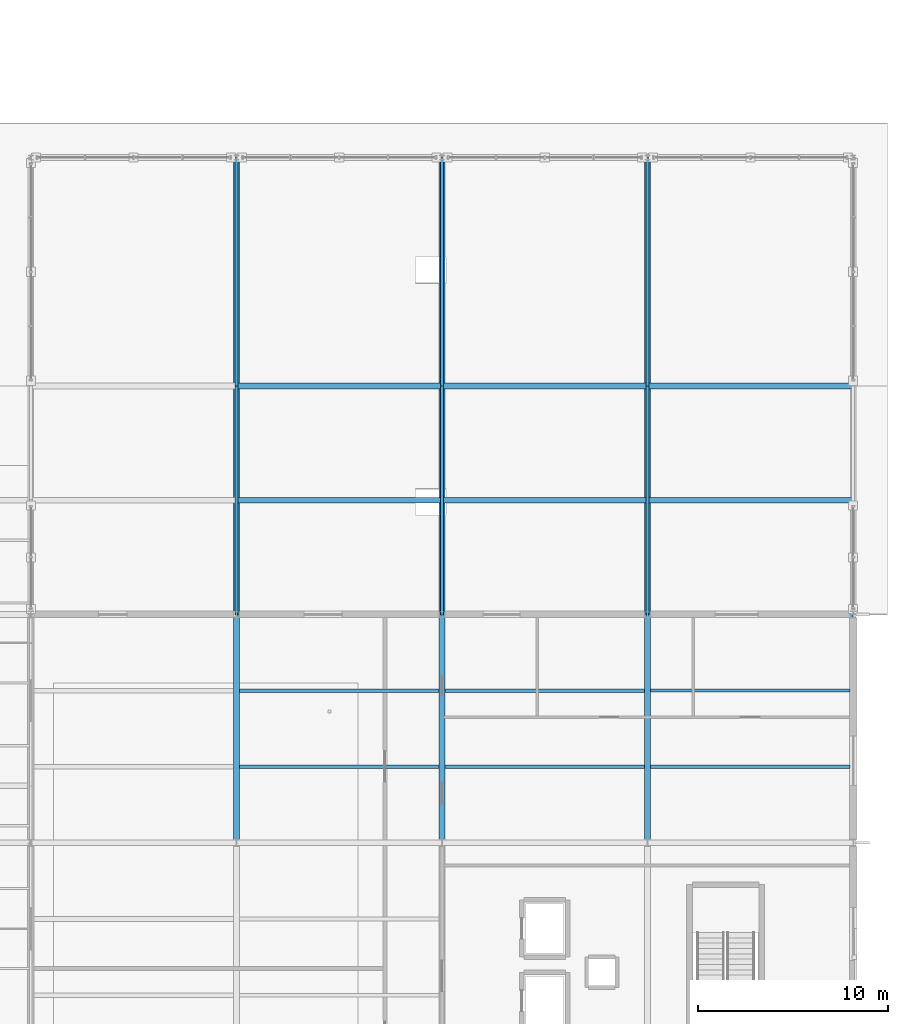
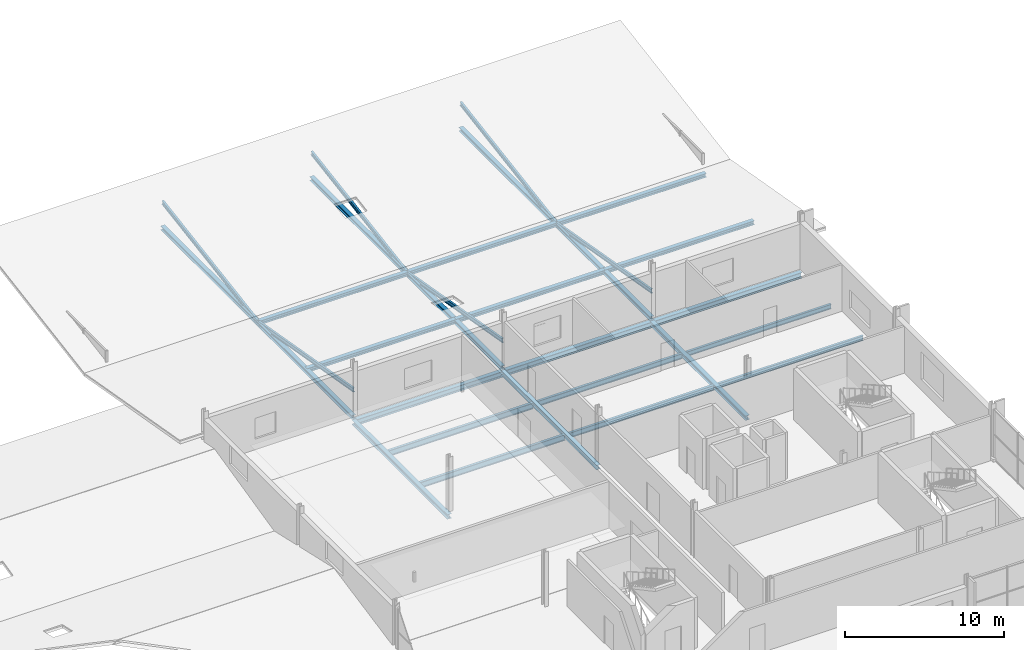
# One storey, part 83 of 117: 24 beams, 6 members.
"""IFC4 building model written with IfcOpenShell, lengths in metres."""

from ifc_helpers import new_model, si_unit, direction, frame, origin, origin_2d, place, context, subcontext, project, spatial, i_section, extrude, material, material_profile, profile_set, type_object, element, save


model = new_model("IFC4")

# Units and contexts
model_context = context("Model", 3, precision=1e-05, world=origin(), true_north=direction((0.0, 1.0)))
body_context = subcontext(model_context, "Body", "Model", "MODEL_VIEW")
ifc_project = project(units=[si_unit("LENGTHUNIT", "METRE"), si_unit("AREAUNIT", "SQUARE_METRE"), si_unit("VOLUMEUNIT", "CUBIC_METRE"), si_unit("PLANEANGLEUNIT", "RADIAN"), si_unit("MASSUNIT", "GRAM", prefix="KILO")], contexts=[model_context])

# Site, building, storey
site_placement = place(None, origin())
site = spatial("IfcSite", under=ifc_project, at=site_placement, CompositionType="ELEMENT")
building_placement = place(site_placement, origin())
building = spatial("IfcBuilding", under=site, at=building_placement, Name="Merenkruunu Market Hall", CompositionType="ELEMENT")
storey_placement = place(building_placement, frame((0.0, 0.0, 10.199951171875)))
storey = spatial("IfcBuildingStorey", under=building, at=storey_placement, Name="L02", CompositionType="ELEMENT", Elevation=10.199951171875)

# Beams
ifc_material_1 = material(Name="Steel S355J2", Category="steel")
ifc_material_profile_1 = material_profile(ifc_material_1, i_section(OverallWidth=0.300048828125, OverallDepth=0.300048828125, WebThickness=0.010986328125, FlangeThickness=0.01904296875, FilletRadius=0.027099609375, at=origin_2d()), Name="HEB 300")
ifc_profile_set_1 = profile_set([ifc_material_profile_1], Name="Steel S355J2")
beam_type_1 = type_object("IfcBeamType", Name="Primary Floor Girder B05", PredefinedType="BEAM", material=ifc_profile_set_1)
for number, where, z_axis, x_axis, name in (
    (1, (159.60009765625, 45.60009765625, -0.14990234375), (1.0, 0.0, 0.0), (0.0, 1.0, 0.0), "BM-L02-B05-1045"),
    (2, (159.60009765625, 51.60009765625, -0.14990234375), (1.0, 0.0, 0.0), (0.0, 1.0, 0.0), "BM-L02-B05-1046"),
):
    element("IfcBeam", number, at=place(storey_placement, frame(where, z_axis=z_axis, x_axis=x_axis)), inside=storey, type_object=beam_type_1, Name=name, PredefinedType="BEAM", context=body_context, shape_type="SweptSolid", body=[
        extrude(i_section(OverallWidth=0.300048828125, OverallDepth=0.300048828125, WebThickness=0.010986328125, FlangeThickness=0.01904296875, FilletRadius=0.027099609375, at=origin_2d()), origin(), (0.0, 0.0, 1.0), 10.7998046875),
    ])
for number, where, z_axis, x_axis, name in (
    (3, (170.39990234375, 45.60009765625, -0.14990234375), (1.0, 0.0, 0.0), (0.0, 1.0, 0.0), "BM-L02-B05-1048"),
    (4, (170.39990234375, 51.60009765625, -0.14990234375), (1.0, 0.0, 0.0), (0.0, 1.0, 0.0), "BM-L02-B05-1049"),
    (5, (181.199951171875, 45.60009765625, -0.14990234375), (1.0, 0.0, 0.0), (0.0, 1.0, 0.0), "BM-L02-B05-1051"),
    (6, (181.199951171875, 51.60009765625, -0.14990234375), (1.0, 0.0, 0.0), (0.0, 1.0, 0.0), "BM-L02-B05-1052"),
):
    element("IfcBeam", number, at=place(storey_placement, frame(where, z_axis=z_axis, x_axis=x_axis)), inside=storey, type_object=beam_type_1, Name=name, PredefinedType="BEAM", context=body_context, shape_type="SweptSolid", body=[
        extrude(i_section(OverallWidth=0.300048828125, OverallDepth=0.300048828125, WebThickness=0.010986328125, FlangeThickness=0.01904296875, FilletRadius=0.027099609375, at=origin_2d()), origin(), (0.0, 0.0, 1.0), 10.800048828125),
    ])
for number, where, z_axis, x_axis, name in (
    (7, (159.60009765625, 39.60009765625, -0.14990234375), (0.0, 1.0, 0.0), (-1.0, 0.0, 0.0), "BM-L02-B05-1056"),
    (8, (159.60009765625, 51.60009765625, -0.14990234375), (0.0, 1.0, 0.0), (-1.0, 0.0, 0.0), "BM-L02-B05-1057"),
    (9, (170.39990234375, 39.60009765625, -0.14990234375), (0.0, 1.0, 0.0), (-1.0, 0.0, 0.0), "BM-L02-B05-1058"),
    (10, (170.39990234375, 51.60009765625, -0.14990234375), (0.0, 1.0, 0.0), (-1.0, 0.0, 0.0), "BM-L02-B05-1059"),
    (11, (181.199951171875, 39.60009765625, -0.14990234375), (0.0, 1.0, 0.0), (-1.0, 0.0, 0.0), "BM-L02-B05-1060"),
    (12, (181.199951171875, 51.60009765625, -0.14990234375), (0.0, 1.0, 0.0), (-1.0, 0.0, 0.0), "BM-L02-B05-1061"),
):
    element("IfcBeam", number, at=place(storey_placement, frame(where, z_axis=z_axis, x_axis=x_axis)), inside=storey, type_object=beam_type_1, Name=name, PredefinedType="BEAM", context=body_context, shape_type="SweptSolid", body=[
        extrude(i_section(OverallWidth=0.300048828125, OverallDepth=0.300048828125, WebThickness=0.010986328125, FlangeThickness=0.01904296875, FilletRadius=0.027099609375, at=origin_2d()), origin(), (0.0, 0.0, 1.0), 12.0),
    ])
ifc_material_profile_2 = material_profile(ifc_material_1, i_section(OverallWidth=0.300048828125, OverallDepth=0.43994140625, WebThickness=0.011474609375, FlangeThickness=0.02099609375, FilletRadius=0.027099609375, at=origin_2d()), Name="HEA 450")
ifc_profile_set_2 = profile_set([ifc_material_profile_2], Name="Steel S355J2")
beam_type_2 = type_object("IfcBeamType", Name="Primary Floor Girder B07", PredefinedType="BEAM", material=ifc_profile_set_2)
beam_placement = place(storey_placement, frame((159.60009765625, 39.60009765625, -0.530029296875), z_axis=(1.0, 0.0, 0.0), x_axis=(0.0, 1.0, 0.0)))
element("IfcBeam", 13, at=beam_placement, inside=storey, type_object=beam_type_2, Name="BM-L02-B07-0766", PredefinedType="BEAM", context=body_context, shape_type="SweptSolid", body=[
    extrude(i_section(OverallWidth=0.300048828125, OverallDepth=0.43994140625, WebThickness=0.011474609375, FlangeThickness=0.02099609375, FilletRadius=0.027099609375, at=origin_2d()), origin(), (0.0, 0.0, 1.0), 10.7998046875),
])
for number, where, z_axis, x_axis, name in (
    (14, (170.39990234375, 39.60009765625, -0.530029296875), (1.0, 0.0, 0.0), (0.0, 1.0, 0.0), "BM-L02-B07-0767"),
    (15, (181.199951171875, 39.60009765625, -0.530029296875), (1.0, 0.0, 0.0), (0.0, 1.0, 0.0), "BM-L02-B07-0768"),
):
    element("IfcBeam", number, at=place(storey_placement, frame(where, z_axis=z_axis, x_axis=x_axis)), inside=storey, type_object=beam_type_2, Name=name, PredefinedType="BEAM", context=body_context, shape_type="SweptSolid", body=[
        extrude(i_section(OverallWidth=0.300048828125, OverallDepth=0.43994140625, WebThickness=0.011474609375, FlangeThickness=0.02099609375, FilletRadius=0.027099609375, at=origin_2d()), origin(), (0.0, 0.0, 1.0), 10.800048828125),
    ])
ifc_material_profile_3 = material_profile(ifc_material_1, i_section(OverallWidth=0.300048828125, OverallDepth=0.35009765625, WebThickness=0.010009765625, FlangeThickness=0.017578125, FilletRadius=0.027099609375, at=origin_2d()), Name="HEA 360")
ifc_profile_set_3 = profile_set([ifc_material_profile_3], Name="Steel S355J2")
beam_type_3 = type_object("IfcBeamType", Name="Primary Floor Girder B08", PredefinedType="BEAM", material=ifc_profile_set_3)
for number, where, z_axis, x_axis, name in (
    (16, (159.60009765625, 27.60009765625, -0.48486328125), (0.0, 1.0, 0.0), (-1.0, 0.0, 0.0), "BM-L02-B08-0803"),
    (17, (170.39990234375, 27.60009765625, -0.48486328125), (0.0, 1.0, 0.0), (-1.0, 0.0, 0.0), "BM-L02-B08-0807"),
    (18, (181.199951171875, 27.60009765625, -0.48486328125), (0.0, 1.0, 0.0), (-1.0, 0.0, 0.0), "BM-L02-B08-0811"),
):
    element("IfcBeam", number, at=place(storey_placement, frame(where, z_axis=z_axis, x_axis=x_axis)), inside=storey, type_object=beam_type_3, Name=name, PredefinedType="BEAM", context=body_context, shape_type="SweptSolid", body=[
        extrude(i_section(OverallWidth=0.300048828125, OverallDepth=0.35009765625, WebThickness=0.010009765625, FlangeThickness=0.017578125, FilletRadius=0.027099609375, at=origin_2d()), origin(), (0.0, 0.0, 1.0), 12.0),
    ])

# Members
ifc_material_2 = material(Name="Steel S355ML", Category="steel")
ifc_material_profile_4 = material_profile(ifc_material_2, i_section(OverallWidth=0.14990234375, OverallDepth=0.300048828125, WebThickness=0.007080078125, FlangeThickness=0.0107421875, FilletRadius=0.014892578125, at=origin_2d()), Name="IPE 300")
ifc_profile_set_4 = profile_set([ifc_material_profile_4], Name="Steel S355ML")
member_type = type_object("IfcMemberType", Name="Roof Purlin Rafter PR01", PredefinedType="PURLIN", material=ifc_profile_set_4)
member_1_placement = place(storey_placement, frame((159.60009765625, 51.60009765625, -0.159912109375), z_axis=(0.0, -0.985032508815, 0.17236866472), x_axis=(1.0, 0.0, 0.0)))
element("IfcMember", 19, at=member_1_placement, inside=storey, type_object=member_type, Name="MEM-V3BF-RS-160", PredefinedType="PURLIN", context=body_context, shape_type="SweptSolid", body=[
    extrude(i_section(OverallWidth=0.14990234375, OverallDepth=0.300048828125, WebThickness=0.007080078125, FlangeThickness=0.0107421875, FilletRadius=0.014892578125, at=origin_2d()), origin(), (0.0, 0.0, 1.0), 12.182373046875),
])
member_2_placement = place(storey_placement, frame((159.60009765625, 51.60009765625, -0.159912109375), z_axis=(0.0, 0.987183410417, 0.159589831119), x_axis=(-1.0, 0.0, 0.0)))
element("IfcMember", 20, at=member_2_placement, inside=storey, type_object=member_type, Name="MEM-V3BF-RN-160", PredefinedType="PURLIN", context=body_context, shape_type="SweptSolid", body=[
    extrude(i_section(OverallWidth=0.14990234375, OverallDepth=0.300048828125, WebThickness=0.007080078125, FlangeThickness=0.0107421875, FilletRadius=0.014892578125, at=origin_2d()), origin(), (0.0, 0.0, 1.0), 12.15576171875),
])
member_3_placement = place(storey_placement, frame((170.39990234375, 51.60009765625, -0.159912109375), z_axis=(0.0, -0.985032508815, 0.17236866472), x_axis=(1.0, 0.0, 0.0)))
element("IfcMember", 21, at=member_3_placement, inside=storey, type_object=member_type, Name="MEM-V3BF-RS-170", PredefinedType="PURLIN", context=body_context, shape_type="SweptSolid", body=[
    extrude(i_section(OverallWidth=0.14990234375, OverallDepth=0.300048828125, WebThickness=0.007080078125, FlangeThickness=0.0107421875, FilletRadius=0.014892578125, at=origin_2d()), origin(), (0.0, 0.0, 1.0), 12.182373046875),
])
member_4_placement = place(storey_placement, frame((170.39990234375, 51.60009765625, -0.159912109375), z_axis=(0.0, 0.987183410417, 0.159589831119), x_axis=(-1.0, 0.0, 0.0)))
element("IfcMember", 22, at=member_4_placement, inside=storey, type_object=member_type, Name="MEM-V3BF-RN-170", PredefinedType="PURLIN", context=body_context, shape_type="SweptSolid", body=[
    extrude(i_section(OverallWidth=0.14990234375, OverallDepth=0.300048828125, WebThickness=0.007080078125, FlangeThickness=0.0107421875, FilletRadius=0.014892578125, at=origin_2d()), origin(), (0.0, 0.0, 1.0), 12.15576171875),
])
member_5_placement = place(storey_placement, frame((181.199951171875, 51.60009765625, -0.159912109375), z_axis=(0.0, -0.985032508815, 0.17236866472), x_axis=(1.0, 0.0, 0.0)))
element("IfcMember", 23, at=member_5_placement, inside=storey, type_object=member_type, Name="MEM-V3BF-RS-181", PredefinedType="PURLIN", context=body_context, shape_type="SweptSolid", body=[
    extrude(i_section(OverallWidth=0.14990234375, OverallDepth=0.300048828125, WebThickness=0.007080078125, FlangeThickness=0.0107421875, FilletRadius=0.014892578125, at=origin_2d()), origin(), (0.0, 0.0, 1.0), 12.182373046875),
])
member_6_placement = place(storey_placement, frame((181.199951171875, 51.60009765625, -0.159912109375), z_axis=(0.0, 0.987183410417, 0.159589831119), x_axis=(-1.0, 0.0, 0.0)))
element("IfcMember", 24, at=member_6_placement, inside=storey, type_object=member_type, Name="MEM-V3BF-RN-181", PredefinedType="PURLIN", context=body_context, shape_type="SweptSolid", body=[
    extrude(i_section(OverallWidth=0.14990234375, OverallDepth=0.300048828125, WebThickness=0.007080078125, FlangeThickness=0.0107421875, FilletRadius=0.014892578125, at=origin_2d()), origin(), (0.0, 0.0, 1.0), 12.15576171875),
])

# Beams
ifc_material_profile_5 = material_profile(ifc_material_1, i_section(OverallWidth=0.18994140625, OverallDepth=0.449951171875, WebThickness=0.009521484375, FlangeThickness=0.0146484375, FilletRadius=0.02099609375, at=origin_2d()), Name="IPE 450")
ifc_profile_set_5 = profile_set([ifc_material_profile_5], Name="Steel S355J2")
beam_type_4 = type_object("IfcBeamType", Name="Secondary Floor Joist J01", PredefinedType="JOIST", material=ifc_profile_set_5)
for number, where, z_axis, x_axis, name in (
    (25, (159.7529296875, 31.60009765625, -0.534912109375), (1.0, 0.0, 0.0), (0.0, 1.0, 0.0), "BM-L02-J01-0845"),
    (26, (159.7529296875, 35.60009765625, -0.534912109375), (1.0, 0.0, 0.0), (0.0, 1.0, 0.0), "BM-L02-J01-0846"),
):
    element("IfcBeam", number, at=place(storey_placement, frame(where, z_axis=z_axis, x_axis=x_axis)), inside=storey, type_object=beam_type_4, Name=name, PredefinedType="JOIST", context=body_context, shape_type="SweptSolid", body=[
        extrude(i_section(OverallWidth=0.18994140625, OverallDepth=0.449951171875, WebThickness=0.009521484375, FlangeThickness=0.0146484375, FilletRadius=0.02099609375, at=origin_2d()), origin(), (0.0, 0.0, 1.0), 10.494140625),
    ])
ifc_material_profile_6 = material_profile(ifc_material_1, i_section(OverallWidth=0.179931640625, OverallDepth=0.39990234375, WebThickness=0.008544921875, FlangeThickness=0.013427734375, FilletRadius=0.02099609375, at=origin_2d()), Name="IPE 400")
ifc_profile_set_6 = profile_set([ifc_material_profile_6], Name="Steel S355J2")
beam_type_5 = type_object("IfcBeamType", Name="Secondary Floor Joist J02", PredefinedType="JOIST", material=ifc_profile_set_6)
for number, where, z_axis, x_axis, name in (
    (27, (170.552978515625, 31.60009765625, -0.510009765625), (1.0, 0.0, 0.0), (0.0, 1.0, 0.0), "BM-L02-J02-0850"),
    (28, (170.552978515625, 35.60009765625, -0.510009765625), (1.0, 0.0, 0.0), (0.0, 1.0, 0.0), "BM-L02-J02-0851"),
):
    element("IfcBeam", number, at=place(storey_placement, frame(where, z_axis=z_axis, x_axis=x_axis)), inside=storey, type_object=beam_type_5, Name=name, PredefinedType="JOIST", context=body_context, shape_type="SweptSolid", body=[
        extrude(i_section(OverallWidth=0.179931640625, OverallDepth=0.39990234375, WebThickness=0.008544921875, FlangeThickness=0.013427734375, FilletRadius=0.02099609375, at=origin_2d()), origin(), (0.0, 0.0, 1.0), 10.494140625),
    ])
ifc_material_profile_7 = material_profile(ifc_material_1, i_section(OverallWidth=0.169921875, OverallDepth=0.360107421875, WebThickness=0.008056640625, FlangeThickness=0.0126953125, FilletRadius=0.01806640625, at=origin_2d()), Name="IPE 360")
ifc_profile_set_7 = profile_set([ifc_material_profile_7], Name="Steel S355J2")
beam_type_6 = type_object("IfcBeamType", Name="Secondary Floor Joist J03", PredefinedType="JOIST", material=ifc_profile_set_7)
for number, where, z_axis, x_axis, name in (
    (29, (181.35302734375, 31.60009765625, -0.489990234375), (1.0, 0.0, 0.0), (0.0, 1.0, 0.0), "BM-L02-J03-0853"),
    (30, (181.35302734375, 35.60009765625, -0.489990234375), (1.0, 0.0, 0.0), (0.0, 1.0, 0.0), "BM-L02-J03-0854"),
):
    element("IfcBeam", number, at=place(storey_placement, frame(where, z_axis=z_axis, x_axis=x_axis)), inside=storey, type_object=beam_type_6, Name=name, PredefinedType="JOIST", context=body_context, shape_type="SweptSolid", body=[
        extrude(i_section(OverallWidth=0.169921875, OverallDepth=0.360107421875, WebThickness=0.008056640625, FlangeThickness=0.0126953125, FilletRadius=0.01806640625, at=origin_2d()), origin(), (0.0, 0.0, 1.0), 10.493896484375),
    ])

save(model, "model.ifc")
